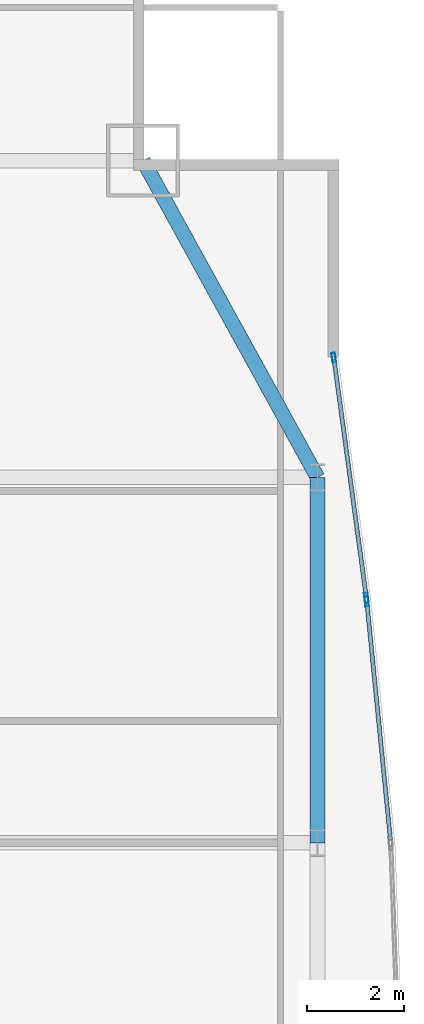
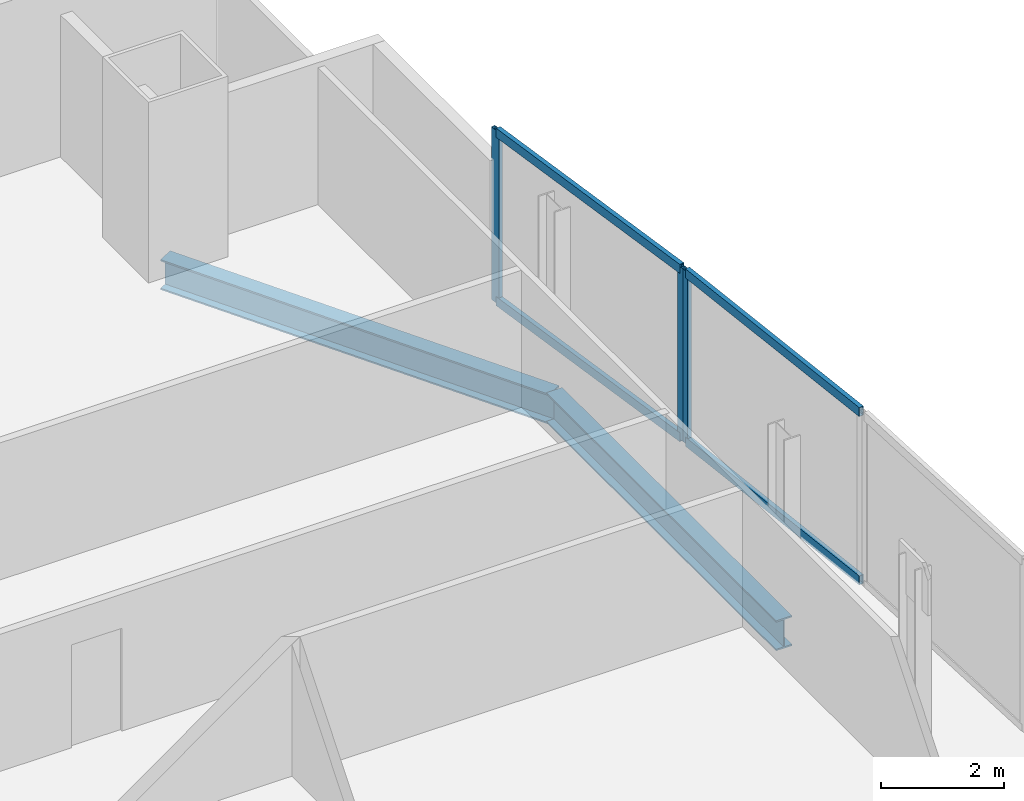
# One storey, part 23 of 32: 7 members, 2 beams, 2 elements without a shape of their own.
"""IFC4 building model written with IfcOpenShell, lengths in metres."""

from ifc_helpers import new_model, si_unit, direction, frame, origin, origin_2d, place, context, subcontext, project, spatial, hollow_rectangle, i_section, extrude, material, material_profile, profile_set, type_object, element, aggregate, save


model = new_model("IFC4")

# Units and contexts
model_context = context("Model", 3, precision=1e-05, world=origin(), true_north=direction((0.0, 1.0)))
body_context = subcontext(model_context, "Body", "Model", "MODEL_VIEW")
ifc_project = project(units=[si_unit("LENGTHUNIT", "METRE"), si_unit("AREAUNIT", "SQUARE_METRE"), si_unit("VOLUMEUNIT", "CUBIC_METRE"), si_unit("PLANEANGLEUNIT", "RADIAN"), si_unit("MASSUNIT", "GRAM", prefix="KILO")], contexts=[model_context])

# Site, building, storey
site_placement = place(None, origin())
site = spatial("IfcSite", under=ifc_project, at=site_placement, CompositionType="ELEMENT")
building_placement = place(site_placement, origin())
building = spatial("IfcBuilding", under=site, at=building_placement, Name="Khoronbel Lancet Exchange", CompositionType="ELEMENT")
storey_placement = place(building_placement, frame((0.0, 0.0, 125.39990234375)))
storey = spatial("IfcBuildingStorey", under=building, at=storey_placement, Name="L30", CompositionType="ELEMENT", Elevation=125.39990234375)

# Beams
ifc_material_1 = material(Name="Steel S355", Category="steel")
ifc_material_profile_1 = material_profile(ifc_material_1, i_section(OverallWidth=0.300048828125, OverallDepth=0.60009765625, WebThickness=0.015380859375, FlangeThickness=0.030029296875, at=origin_2d()), Name="HEB 600")
ifc_profile_set_1 = profile_set([ifc_material_profile_1], Name="Steel S355")
beam_type = type_object("IfcBeamType", Name="BM-BSP2", PredefinedType="SPANDREL", material=ifc_profile_set_1)
beam_1_placement = place(storey_placement, frame((69.6298828125, 35.699951171875, -0.4599609375), z_axis=(0.0, 1.0, 0.0), x_axis=(-1.0, 0.0, 0.0)))
element("IfcBeam", 1, at=beam_1_placement, inside=storey, type_object=beam_type, Name="Level L30 perimeter spandrel beam SP14", PredefinedType="SPANDREL", context=body_context, shape_type="SweptSolid", body=[
    extrude(i_section(OverallWidth=0.300048828125, OverallDepth=0.60009765625, WebThickness=0.015380859375, FlangeThickness=0.030029296875, at=origin_2d()), origin(), (0.0, 0.0, 1.0), 7.5),
])
beam_2_placement = place(storey_placement, frame((69.6298828125, 43.199951171875, -0.4599609375), z_axis=(-0.482418808117, 0.875940690672, 0.0), x_axis=(-0.875940690672, -0.482418808117, 0.0)))
element("IfcBeam", 2, at=beam_2_placement, inside=storey, type_object=beam_type, Name="Level L30 perimeter spandrel beam SP15", PredefinedType="SPANDREL", context=body_context, shape_type="SweptSolid", body=[
    extrude(i_section(OverallWidth=0.300048828125, OverallDepth=0.60009765625, WebThickness=0.015380859375, FlangeThickness=0.030029296875, at=origin_2d()), origin(), (0.0, 0.0, 1.0), 7.420654296875),
])

# Curtain wall, members
ifc_material_2 = material(Name="Low-E Solar Control Insulating Glass", Category="glass")
curtain_wall_type = type_object("IfcCurtainWallType", Name="CW-4", PredefinedType="NOTDEFINED", material=ifc_material_2)
curtain_wall_1_placement = place(storey_placement, origin())
curtain_wall_1 = element("IfcCurtainWall", 3, at=curtain_wall_1_placement, inside=storey, type_object=curtain_wall_type, Name="Unitised curtain wall CW-L30-E17", PredefinedType="NOTDEFINED")
ifc_material_3 = material(Name="Bronze-Anodised Aluminium 6063-T6", Category="aluminium")
ifc_material_profile_2 = material_profile(ifc_material_3, hollow_rectangle(XDim=0.074951171875, YDim=0.199951171875, WallThickness=0.0048828125, at=origin_2d()), Name="ALU MULLION 75x200")
ifc_profile_set_2 = profile_set([ifc_material_profile_2], Name="Bronze-Anodised Aluminium 6063-T6")
member_type_1 = type_object("IfcMemberType", Name="MEM-CWM2", PredefinedType="MULLION", material=ifc_profile_set_2)
member_1_placement = place(storey_placement, frame((69.965087890625, 45.65673828125, 0.0), z_axis=(0.0, 0.0, 1.0), x_axis=(0.990939013148, 0.134312591445, 0.0)))
member_1 = element("IfcMember", 4, at=member_1_placement, type_object=member_type_1, Name="CW4 mullion 1", PredefinedType="MULLION", context=body_context, shape_type="SweptSolid", body=[
    extrude(hollow_rectangle(XDim=0.074951171875, YDim=0.199951171875, WallThickness=0.0048828125, at=origin_2d()), origin(), (0.0, 0.0, 1.0), 3.440185546875),
])
member_2_placement = place(storey_placement, frame((70.63330078125, 40.7265625, 0.0), z_axis=(0.0, 0.0, 1.0), x_axis=(0.990939013148, 0.134312591445, 0.0)))
member_2 = element("IfcMember", 5, at=member_2_placement, type_object=member_type_1, Name="CW4 mullion 2", PredefinedType="MULLION", context=body_context, shape_type="SweptSolid", body=[
    extrude(hollow_rectangle(XDim=0.074951171875, YDim=0.199951171875, WallThickness=0.0048828125, at=origin_2d()), origin(), (0.0, 0.0, 1.0), 3.440185546875),
])

# Curtain wall, member
curtain_wall_2_placement = place(storey_placement, origin())
curtain_wall_2 = element("IfcCurtainWall", 6, at=curtain_wall_2_placement, inside=storey, type_object=curtain_wall_type, Name="Unitised curtain wall CW-L30-E18", PredefinedType="NOTDEFINED")
member_3_placement = place(storey_placement, frame((70.64208984375, 40.652099609375, 0.0), z_axis=(0.0, 0.0, 1.0), x_axis=(0.99511302808, 0.098742398922, 0.0)))
member_3 = element("IfcMember", 7, at=member_3_placement, type_object=member_type_1, Name="CW4 mullion 1", PredefinedType="MULLION", context=body_context, shape_type="SweptSolid", body=[
    extrude(hollow_rectangle(XDim=0.074951171875, YDim=0.199951171875, WallThickness=0.0048828125, at=origin_2d()), origin(), (0.0, 0.0, 1.0), 3.440185546875),
])

# Member
ifc_material_profile_3 = material_profile(ifc_material_3, hollow_rectangle(XDim=0.0849609375, YDim=0.179931640625, WallThickness=0.0048828125, at=origin_2d()), Name="ALU TRANSOM 85x180")
ifc_profile_set_3 = profile_set([ifc_material_profile_3], Name="Bronze-Anodised Aluminium 6063-T6")
member_type_2 = type_object("IfcMemberType", Name="MEM-CWT1", PredefinedType="USERDEFINED", material=ifc_profile_set_3)
member_4_placement = place(storey_placement, frame((69.969970703125, 45.61962890625, 0.04248046875), z_axis=(0.134323870368, -0.99093748433, 0.0), x_axis=(0.99093748433, 0.134323870368, 0.0)))
member_4 = element("IfcMember", 8, at=member_4_placement, type_object=member_type_2, Name="CW4 transom 1.1", ObjectType="TRANSOM", PredefinedType="USERDEFINED", context=body_context, shape_type="SweptSolid", body=[
    extrude(hollow_rectangle(XDim=0.0849609375, YDim=0.179931640625, WallThickness=0.0048828125, at=origin_2d()), origin(), (0.0, 0.0, 1.0), 4.900146484375),
])

member_5_placement = place(storey_placement, frame((69.969970703125, 45.61962890625, 3.397705078125), z_axis=(0.134323870368, -0.99093748433, 0.0), x_axis=(0.99093748433, 0.134323870368, 0.0)))
member_5 = element("IfcMember", 9, at=member_5_placement, type_object=member_type_2, Name="CW4 transom 1.2", ObjectType="TRANSOM", PredefinedType="USERDEFINED", context=body_context, shape_type="SweptSolid", body=[
    extrude(hollow_rectangle(XDim=0.0849609375, YDim=0.179931640625, WallThickness=0.0048828125, at=origin_2d()), origin(), (0.0, 0.0, 1.0), 4.900146484375),
])

aggregate(curtain_wall_1, [member_1, member_2, member_4, member_5])

member_6_placement = place(storey_placement, frame((70.645751953125, 40.61474609375, 0.04248046875), z_axis=(0.098759163124, -0.995111364471, 0.0), x_axis=(0.995111364471, 0.098759163124, 0.0)))
member_6 = element("IfcMember", 10, at=member_6_placement, type_object=member_type_2, Name="CW4 transom 1.1", ObjectType="TRANSOM", PredefinedType="USERDEFINED", context=body_context, shape_type="SweptSolid", body=[
    extrude(hollow_rectangle(XDim=0.0849609375, YDim=0.179931640625, WallThickness=0.0048828125, at=origin_2d()), origin(), (0.0, 0.0, 1.0), 4.8701171875),
])

member_7_placement = place(storey_placement, frame((70.645751953125, 40.61474609375, 3.397705078125), z_axis=(0.098759163124, -0.995111364471, 0.0), x_axis=(0.995111364471, 0.098759163124, 0.0)))
member_7 = element("IfcMember", 11, at=member_7_placement, type_object=member_type_2, Name="CW4 transom 1.2", ObjectType="TRANSOM", PredefinedType="USERDEFINED", context=body_context, shape_type="SweptSolid", body=[
    extrude(hollow_rectangle(XDim=0.0849609375, YDim=0.179931640625, WallThickness=0.0048828125, at=origin_2d()), origin(), (0.0, 0.0, 1.0), 4.8701171875),
])

aggregate(curtain_wall_2, [member_3, member_6, member_7])

save(model, "model.ifc")
